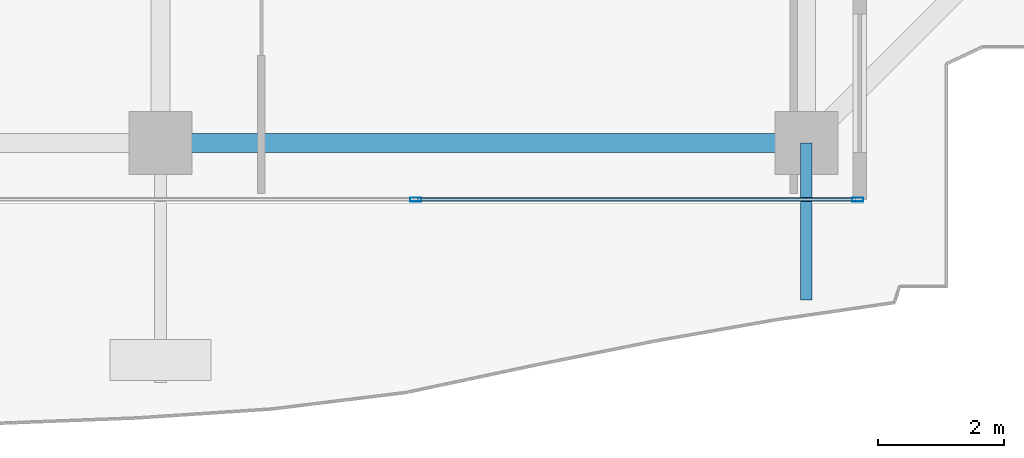
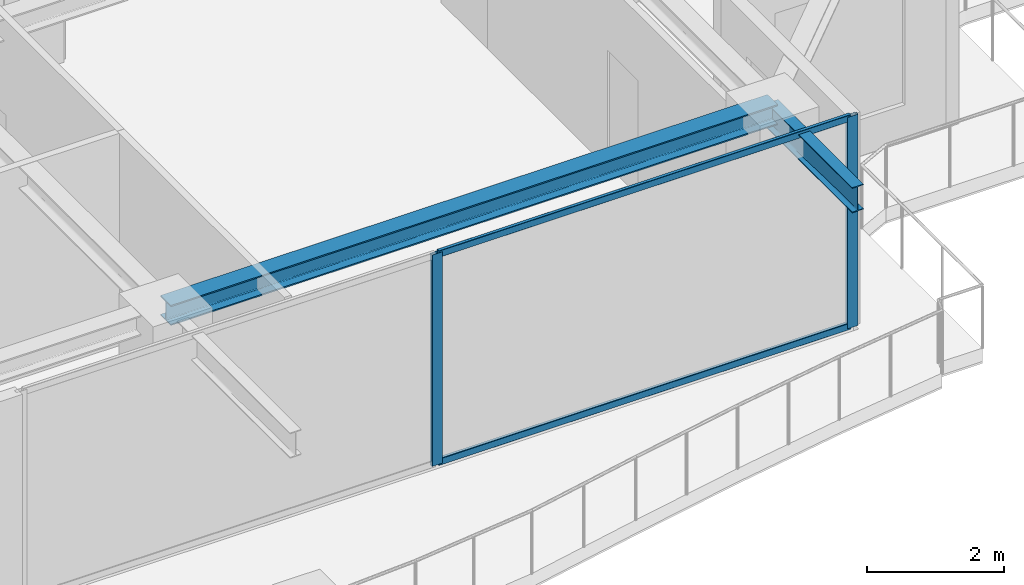
# One storey, part 11 of 41: 4 members, 2 beams, 1 element without a shape of its own.
"""IFC4 building model written with IfcOpenShell, lengths in metres."""

from ifc_helpers import new_model, si_unit, direction, frame, origin, origin_2d, place, context, subcontext, project, spatial, hollow_rectangle, i_section, extrude, source, transform, mapped, material, layer, layer_set, material_profile, profile_set, type_object, element, aggregate, save


model = new_model("IFC4")

# Units and contexts
model_context = context("Model", 3, precision=1e-05, world=origin(), true_north=direction((0.0, 1.0)))
body_context = subcontext(model_context, "Body", "Model", "MODEL_VIEW")
ifc_project = project(units=[si_unit("LENGTHUNIT", "METRE"), si_unit("AREAUNIT", "SQUARE_METRE"), si_unit("VOLUMEUNIT", "CUBIC_METRE"), si_unit("PLANEANGLEUNIT", "RADIAN"), si_unit("MASSUNIT", "GRAM", prefix="KILO")], contexts=[model_context])

# Site, building, storey
site_placement = place(None, origin())
site = spatial("IfcSite", under=ifc_project, at=site_placement, CompositionType="ELEMENT")
building_placement = place(site_placement, origin())
building = spatial("IfcBuilding", under=site, at=building_placement, Name="Serunith Strait Residences", CompositionType="ELEMENT")
storey_placement = place(building_placement, frame((0.0, 0.0, 301.550048828125)))
storey = spatial("IfcBuildingStorey", under=building, at=storey_placement, Name="L75", CompositionType="ELEMENT", Elevation=301.550048828125)

# Beams
ifc_material_1 = material(Name="Steel S355J2", Category="steel")
ifc_material_profile_1 = material_profile(ifc_material_1, i_section(OverallWidth=0.300048828125, OverallDepth=0.360107421875, WebThickness=0.012451171875, FlangeThickness=0.0224609375, FilletRadius=0.027099609375, at=origin_2d()), Name="HEB 360")
ifc_profile_set_1 = profile_set([ifc_material_profile_1], Name="Steel S355J2")
beam_type_1 = type_object("IfcBeamType", Name="BM-HEB360", PredefinedType="BEAM", material=ifc_profile_set_1)
shared_shape_1 = source(origin(), body_context, "Body", "SweptSolid", [
    extrude(i_section(OverallWidth=0.300048828125, OverallDepth=0.360107421875, WebThickness=0.012451171875, FlangeThickness=0.0224609375, FilletRadius=0.027099609375, at=origin_2d()), origin(), (0.0, 0.0, 1.0), 10.25),
])
beam_1_placement = place(storey_placement, frame((36.89990234375, 3.300048828125, 3.60693359375), z_axis=(1.0, 0.0, 0.0), x_axis=(0.0, 1.0, 0.0)))
element("IfcBeam", 1, at=beam_1_placement, inside=storey, type_object=beam_type_1, Name="L75 Perimeter Ring Beam 03", PredefinedType="BEAM", context=body_context, shape_type="MappedRepresentation", body=[
    mapped(shared_shape_1, transform((0.0, 0.0, 0.0), scale=1.0)),
])
ifc_material_profile_2 = material_profile(ifc_material_1, i_section(OverallWidth=0.18994140625, OverallDepth=0.449951171875, WebThickness=0.009521484375, FlangeThickness=0.0146484375, FilletRadius=0.02099609375, at=origin_2d()), Name="IPE 450")
ifc_profile_set_2 = profile_set([ifc_material_profile_2], Name="Steel S355J2")
beam_type_2 = type_object("IfcBeamType", Name="BM-IPE450", PredefinedType="JOIST", material=ifc_profile_set_2)
shared_shape_2 = source(origin(), body_context, "Body", "SweptSolid", [
    extrude(i_section(OverallWidth=0.18994140625, OverallDepth=0.449951171875, WebThickness=0.009521484375, FlangeThickness=0.0146484375, FilletRadius=0.02099609375, at=origin_2d()), origin(), (0.0, 0.0, 1.0), 2.4951171875),
])
beam_2_placement = place(storey_placement, frame((47.14990234375, 3.300048828125, 3.531982421875), z_axis=(0.0, -1.0, 0.0), x_axis=(1.0, 0.0, 0.0)))
element("IfcBeam", 2, at=beam_2_placement, inside=storey, type_object=beam_type_2, Name="L76 Cantilevered Balcony Rib TC-S4", PredefinedType="JOIST", context=body_context, shape_type="MappedRepresentation", body=[
    mapped(shared_shape_2, transform((0.0, 0.0, 0.0), scale=1.0)),
])

# Curtain wall, members
ifc_material_2 = material(Name="Brushed Stainless-Silver Aluminium", Category="aluminium")
ifc_layer = layer(ifc_material_2, 0.199951171875, Name="Brushed Stainless-Silver Aluminium")
ifc_layer_set = layer_set([ifc_layer], Name="Brushed Stainless-Silver Aluminium")
curtain_wall_type = type_object("IfcCurtainWallType", Name="CW-SYS5", PredefinedType="NOTDEFINED", material=ifc_layer_set)
curtain_wall_placement = place(storey_placement, origin())
curtain_wall = element("IfcCurtainWall", 3, at=curtain_wall_placement, inside=storey, type_object=curtain_wall_type, Name="L75 S Unitised Fritted Curtain Wall", PredefinedType="NOTDEFINED")
ifc_material_profile_3 = material_profile(ifc_material_2, hollow_rectangle(XDim=0.06005859375, YDim=0.1201171875, WallThickness=0.00341796875, InnerFilletRadius=0.00537109375, OuterFilletRadius=0.0087890625, at=origin_2d()), Name="ALU 120x60x3.5")
ifc_profile_set_3 = profile_set([ifc_material_profile_3], Name="Brushed Stainless-Silver Aluminium")
member_type_1 = type_object("IfcMemberType", Name="CW-SYS5-TRAN", PredefinedType="USERDEFINED", material=ifc_profile_set_3)
shared_shape_3 = source(origin(), body_context, "Body", "SweptSolid", [
    extrude(hollow_rectangle(XDim=0.06005859375, YDim=0.1201171875, WallThickness=0.00341796875, InnerFilletRadius=0.00537109375, OuterFilletRadius=0.0087890625, at=origin_2d()), origin(), (0.0, 0.0, 1.0), 6.95263671875),
])
member_1_placement = place(storey_placement, frame((40.982421875, 2.39990234375, 0.030029296875), z_axis=(1.0, 0.0, 0.0), x_axis=(0.0, 1.0, 0.0)))
member_1 = element("IfcMember", 4, at=member_1_placement, type_object=member_type_1, Name="CW-5 transom 2.1", ObjectType="TRANSOM", PredefinedType="USERDEFINED", context=body_context, shape_type="MappedRepresentation", body=[
    mapped(shared_shape_3, transform((0.0, 0.0, 0.0), scale=1.0)),
])
member_2_placement = place(storey_placement, frame((40.982421875, 2.39990234375, 3.744873046875), z_axis=(1.0, 0.0, 0.0), x_axis=(0.0, 1.0, 0.0)))
member_2 = element("IfcMember", 5, at=member_2_placement, type_object=member_type_1, Name="CW-5 transom 2.2", ObjectType="TRANSOM", PredefinedType="USERDEFINED", context=body_context, shape_type="MappedRepresentation", body=[
    mapped(shared_shape_3, transform((0.0, 0.0, 0.0), scale=1.0)),
])
ifc_material_profile_4 = material_profile(ifc_material_2, hollow_rectangle(XDim=0.06494140625, YDim=0.179931640625, WallThickness=0.00341796875, InnerFilletRadius=0.00537109375, OuterFilletRadius=0.0087890625, at=origin_2d()), Name="ALU 180x65x3.5")
ifc_profile_set_4 = profile_set([ifc_material_profile_4], Name="Brushed Stainless-Silver Aluminium")
member_type_2 = type_object("IfcMemberType", Name="CW-SYS5-MULL", PredefinedType="MULLION", material=ifc_profile_set_4)
shared_shape_4 = source(origin(), body_context, "Body", "SweptSolid", [
    extrude(hollow_rectangle(XDim=0.06494140625, YDim=0.179931640625, WallThickness=0.00341796875, InnerFilletRadius=0.00537109375, OuterFilletRadius=0.0087890625, at=origin_2d()), origin(), (0.0, 0.0, 1.0), 3.77490234375),
])
member_3_placement = place(storey_placement, frame((40.949951171875, 2.39990234375, 0.0), z_axis=(0.0, 0.0, 1.0), x_axis=(0.0, 1.0, 0.0)))
member_3 = element("IfcMember", 6, at=member_3_placement, type_object=member_type_2, Name="CW-5 mullion 2", PredefinedType="MULLION", context=body_context, shape_type="MappedRepresentation", body=[
    mapped(shared_shape_4, transform((0.0, 0.0, 0.0), scale=1.0)),
])
member_4_placement = place(storey_placement, frame((47.967529296875, 2.39990234375, 0.0), z_axis=(0.0, 0.0, 1.0), x_axis=(0.0, 1.0, 0.0)))
member_4 = element("IfcMember", 7, at=member_4_placement, type_object=member_type_2, Name="CW-5 mullion 3", PredefinedType="MULLION", context=body_context, shape_type="MappedRepresentation", body=[
    mapped(shared_shape_4, transform((0.0, 0.0, 0.0), scale=1.0)),
])
aggregate(curtain_wall, [member_3, member_4, member_1, member_2])

save(model, "model.ifc")
